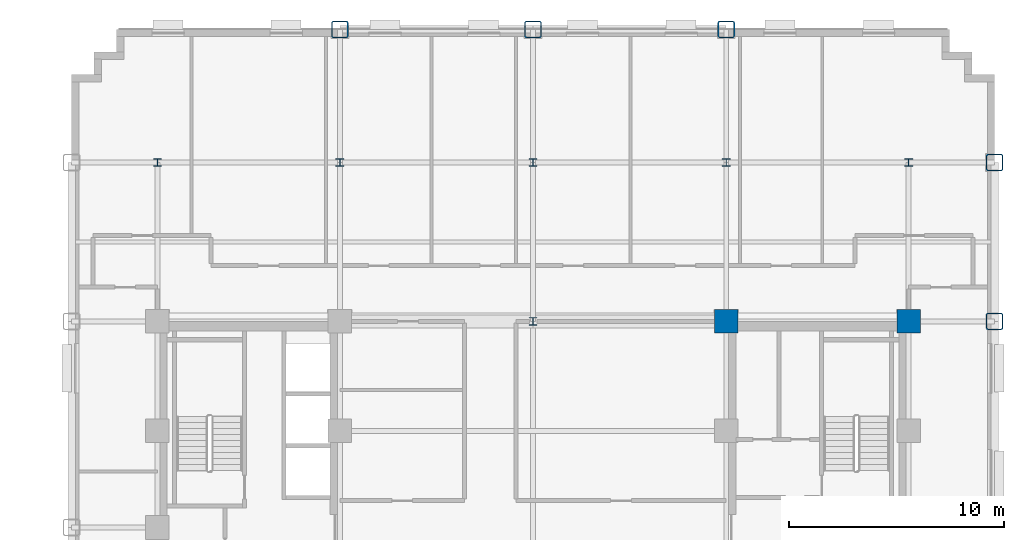
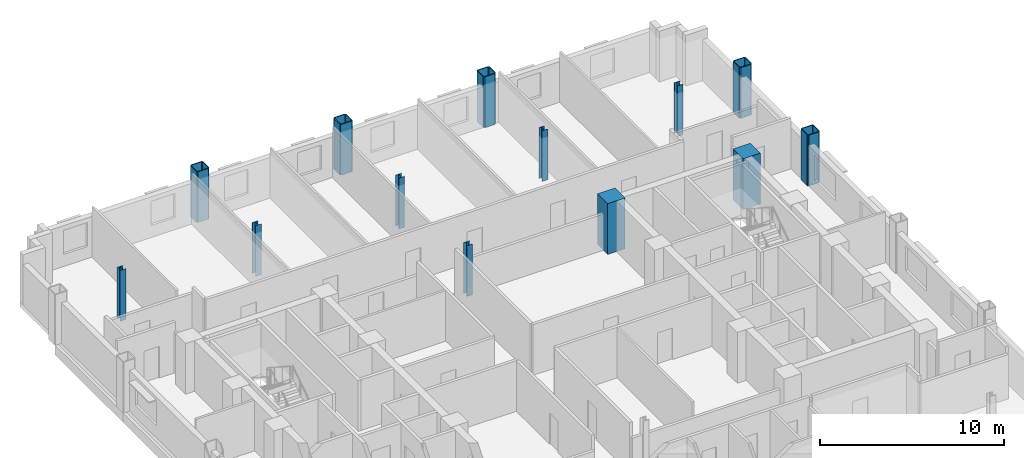
# One storey, part 3 of 14: 13 columns.
"""IFC4 building model written with IfcOpenShell, lengths in metres."""

from ifc_helpers import new_model, si_unit, direction, frame, origin, origin_2d, place, context, subcontext, project, spatial, rectangle, hollow_rectangle, i_section, extrude, material, material_profile, profile_set, type_object, element, save


model = new_model("IFC4")

# Units and contexts
model_context = context("Model", 3, precision=1e-05, world=origin(), true_north=direction((0.0, 1.0)))
body_context = subcontext(model_context, "Body", "Model", "MODEL_VIEW")
ifc_project = project(units=[si_unit("LENGTHUNIT", "METRE"), si_unit("AREAUNIT", "SQUARE_METRE"), si_unit("VOLUMEUNIT", "CUBIC_METRE"), si_unit("PLANEANGLEUNIT", "RADIAN"), si_unit("MASSUNIT", "GRAM", prefix="KILO")], contexts=[model_context])

# Site, building, storey
site_placement = place(None, origin())
site = spatial("IfcSite", under=ifc_project, at=site_placement, CompositionType="ELEMENT")
building_placement = place(site_placement, origin())
building = spatial("IfcBuilding", under=site, at=building_placement, Name="Nuvemarco Arch Tower", CompositionType="ELEMENT")
storey_placement = place(building_placement, frame((0.0, 0.0, 64.10009765625)))
storey = spatial("IfcBuildingStorey", under=building, at=storey_placement, Name="L16", CompositionType="ELEMENT", Elevation=64.10009765625)

# Columns
ifc_material_1 = material(Name="Concrete C60/75", Category="concrete")
ifc_material_profile_1 = material_profile(ifc_material_1, rectangle(XDim=1.10009765625, YDim=1.10009765625, at=origin_2d()), Name="RC-COL-1100x1100")
ifc_profile_set_1 = profile_set([ifc_material_profile_1], Name="Concrete C60/75")
column_type_1 = type_object("IfcColumnType", Name="COL-CORE-1100", PredefinedType="COLUMN", material=ifc_profile_set_1)
for number, where, z_axis, x_axis, name in (
    (1, (9.0, 9.60009765625, 0.0), (0.0, 0.0, 1.0), (1.0, 0.0, 0.0), "L16 column CC_+9.0_+9.6"),
    (2, (17.5, 9.60009765625, 0.0), (0.0, 0.0, 1.0), (1.0, 0.0, 0.0), "L16 column CC_+17.5_+9.6"),
):
    element("IfcColumn", number, at=place(storey_placement, frame(where, z_axis=z_axis, x_axis=x_axis)), inside=storey, type_object=column_type_1, Name=name, PredefinedType="COLUMN", context=body_context, shape_type="SweptSolid", body=[
        extrude(rectangle(XDim=1.10009765625, YDim=1.10009765625, at=origin_2d()), origin(), (0.0, 0.0, 1.0), 3.369873046875),
    ])
ifc_material_2 = material(Name="Steel S460", Category="steel")
ifc_material_profile_2 = material_profile(ifc_material_2, hollow_rectangle(XDim=0.800048828125, YDim=0.800048828125, WallThickness=0.054931640625, InnerFilletRadius=0.054931640625, OuterFilletRadius=0.110107421875, at=origin_2d()), Name="SHS800x800x55")
ifc_profile_set_2 = profile_set([ifc_material_profile_2], Name="Steel S460")
column_type_2 = type_object("IfcColumnType", Name="COL-EXO-800", PredefinedType="COLUMN", material=ifc_profile_set_2)
for number, where, z_axis, x_axis, name in (
    (3, (21.5, 9.60009765625, 0.0), (0.0, 0.0, 1.0), (1.0, 0.0, 0.0), "L16 column CX_+21.5_+9.6"),
    (4, (21.5, 17.0, 0.0), (0.0, 0.0, 1.0), (1.0, 0.0, 0.0), "L16 column CX_+21.5_+17.0"),
    (5, (-9.0, 23.199951171875, 0.0), (0.0, 0.0, 1.0), (1.0, 0.0, 0.0), "L16 column CY_-9.0_+23.2"),
    (6, (0.0, 23.199951171875, 0.0), (0.0, 0.0, 1.0), (1.0, 0.0, 0.0), "L16 column CY_+0.0_+23.2"),
    (7, (9.0, 23.199951171875, 0.0), (0.0, 0.0, 1.0), (1.0, 0.0, 0.0), "L16 column CY_+9.0_+23.2"),
):
    element("IfcColumn", number, at=place(storey_placement, frame(where, z_axis=z_axis, x_axis=x_axis)), inside=storey, type_object=column_type_2, Name=name, PredefinedType="COLUMN", context=body_context, shape_type="SweptSolid", body=[
        extrude(hollow_rectangle(XDim=0.800048828125, YDim=0.800048828125, WallThickness=0.054931640625, InnerFilletRadius=0.054931640625, OuterFilletRadius=0.110107421875, at=origin_2d()), origin(), (0.0, 0.0, 1.0), 3.369873046875),
    ])
ifc_material_3 = material(Name="Steel S355", Category="steel")
ifc_material_profile_3 = material_profile(ifc_material_3, i_section(OverallWidth=0.360107421875, OverallDepth=0.360107421875, WebThickness=0.0205078125, FlangeThickness=0.0205078125, FilletRadius=0.01806640625, at=origin_2d()), Name="HP360x174")
ifc_profile_set_3 = profile_set([ifc_material_profile_3], Name="Steel S355")
column_type_3 = type_object("IfcColumnType", Name="COL-STL-HP360", PredefinedType="COLUMN", material=ifc_profile_set_3)
for number, where, z_axis, x_axis, name in (
    (8, (0.0, 9.60009765625, 0.0), (0.0, 0.0, 1.0), (1.0, 0.0, 0.0), "L16 column CI_+0.0_+9.6"),
    (9, (0.0, 17.0, 0.0), (0.0, 0.0, 1.0), (1.0, 0.0, 0.0), "L16 column CI_+0.0_+17.0"),
    (10, (-17.5, 17.0, 0.0), (0.0, 0.0, 1.0), (1.0, 0.0, 0.0), "L16 column CI_-17.5_+17.0"),
    (11, (-9.0, 17.0, 0.0), (0.0, 0.0, 1.0), (1.0, 0.0, 0.0), "L16 column CI_-9.0_+17.0"),
    (12, (9.0, 17.0, 0.0), (0.0, 0.0, 1.0), (1.0, 0.0, 0.0), "L16 column CI_+9.0_+17.0"),
    (13, (17.5, 17.0, 0.0), (0.0, 0.0, 1.0), (1.0, 0.0, 0.0), "L16 column CI_+17.5_+17.0"),
):
    element("IfcColumn", number, at=place(storey_placement, frame(where, z_axis=z_axis, x_axis=x_axis)), inside=storey, type_object=column_type_3, Name=name, PredefinedType="COLUMN", context=body_context, shape_type="SweptSolid", body=[
        extrude(i_section(OverallWidth=0.360107421875, OverallDepth=0.360107421875, WebThickness=0.0205078125, FlangeThickness=0.0205078125, FilletRadius=0.01806640625, at=origin_2d()), origin(), (0.0, 0.0, 1.0), 3.369873046875),
    ])

save(model, "model.ifc")
